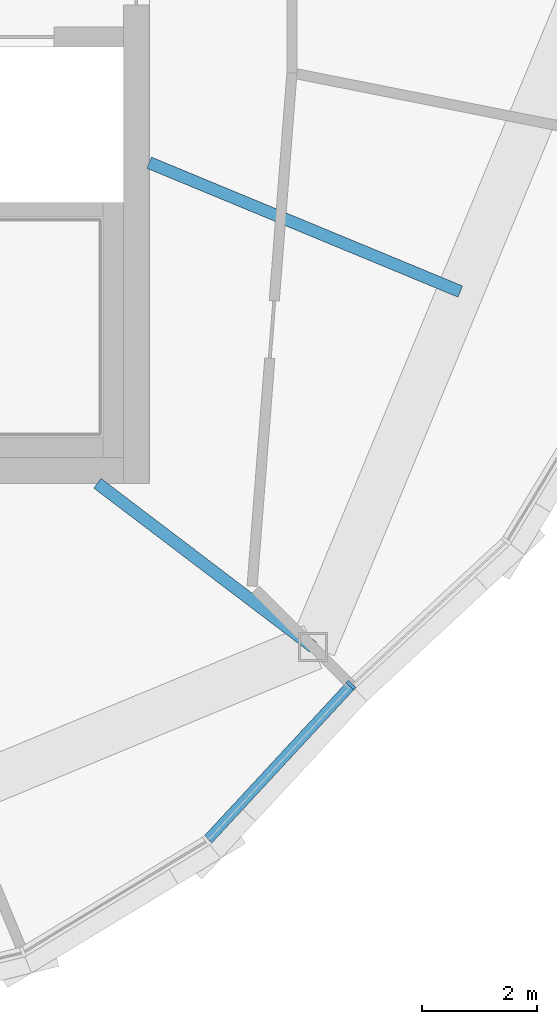
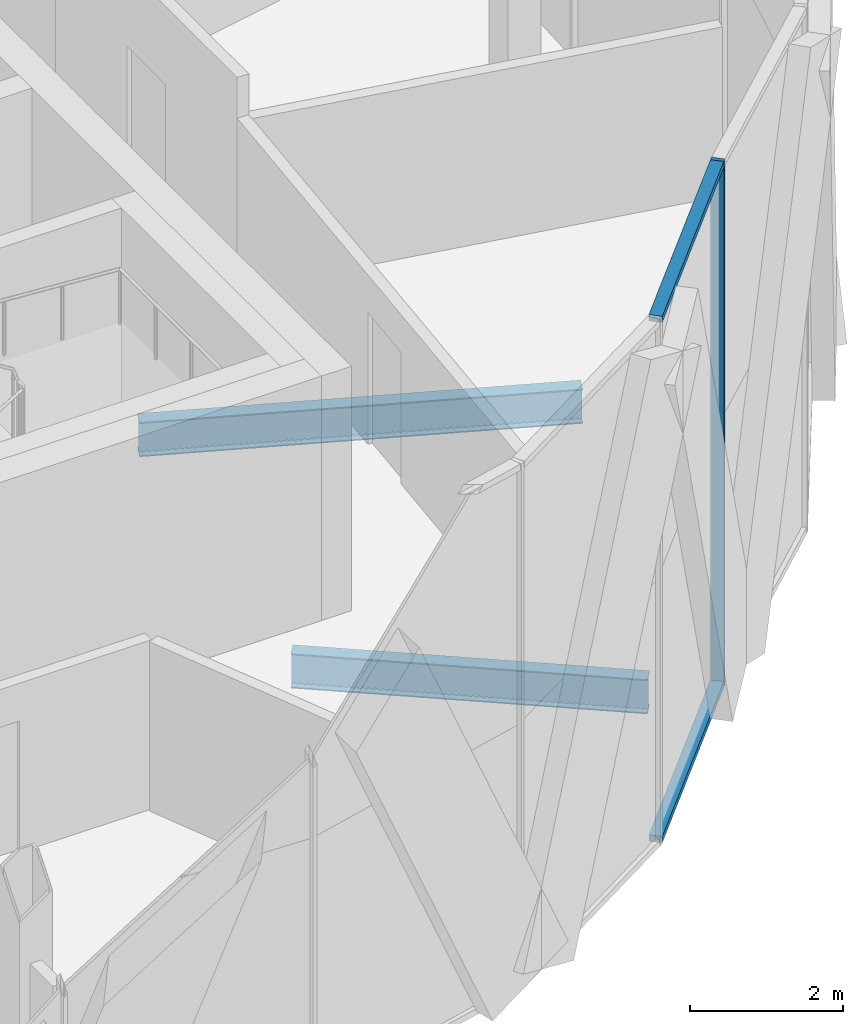
# One storey, part 4 of 22: 3 members, 2 beams, 1 element without a shape of its own.
"""IFC4 building model written with IfcOpenShell, lengths in metres."""

from ifc_helpers import new_model, si_unit, direction, frame, origin, origin_2d, place, context, subcontext, project, spatial, rectangle, i_section, extrude, material, material_profile, profile_set, type_object, element, aggregate, save


model = new_model("IFC4")

# Units and contexts
model_context = context("Model", 3, precision=1e-05, world=origin(), true_north=direction((0.0, 1.0)))
body_context = subcontext(model_context, "Body", "Model", "MODEL_VIEW")
ifc_project = project(units=[si_unit("LENGTHUNIT", "METRE"), si_unit("AREAUNIT", "SQUARE_METRE"), si_unit("VOLUMEUNIT", "CUBIC_METRE"), si_unit("PLANEANGLEUNIT", "RADIAN"), si_unit("MASSUNIT", "GRAM", prefix="KILO")], contexts=[model_context])

# Site, building, storey
site_placement = place(None, origin())
site = spatial("IfcSite", under=ifc_project, at=site_placement, CompositionType="ELEMENT")
building_placement = place(site_placement, origin())
building = spatial("IfcBuilding", under=site, at=building_placement, Name="Ogive Gate Towers", CompositionType="ELEMENT")
storey_placement = place(building_placement, frame((0.0, 0.0, 285.60009765625)))
storey = spatial("IfcBuildingStorey", under=building, at=storey_placement, Name="L67", CompositionType="ELEMENT", Elevation=285.60009765625)

# Beams
ifc_material_1 = material(Name="Steel SM355", Category="steel")
ifc_material_profile_1 = material_profile(ifc_material_1, i_section(OverallWidth=0.2099609375, OverallDepth=0.550048828125, WebThickness=0.010986328125, FlangeThickness=0.01708984375, FilletRadius=0.02392578125, at=origin_2d()), Name="IPE 550")
ifc_profile_set_1 = profile_set([ifc_material_profile_1], Name="Steel SM355")
beam_type = type_object("IfcBeamType", Name="Radial floor beam IPE 550", PredefinedType="BEAM", material=ifc_profile_set_1)
beam_1_placement = place(storey_placement, frame((-27.39990234375, -9.5, -0.5751953125), z_axis=(0.796338347087, -0.604851417257, 0.0), x_axis=(0.604851417257, 0.796338347087, 0.0)))
element("IfcBeam", 1, at=beam_1_placement, inside=storey, type_object=beam_type, Name="T1/L67/SBM005", PredefinedType="BEAM", context=body_context, shape_type="SweptSolid", body=[
    extrude(i_section(OverallWidth=0.2099609375, OverallDepth=0.550048828125, WebThickness=0.010986328125, FlangeThickness=0.01708984375, FilletRadius=0.02392578125, at=origin_2d()), origin(), (0.0, 0.0, 1.0), 4.699462890625),
])
beam_2_placement = place(storey_placement, frame((-26.5, -3.93505859375, -0.5751953125), z_axis=(0.923872213225, -0.382701102209, 0.0), x_axis=(0.382701102209, 0.923872213225, 0.0)))
element("IfcBeam", 2, at=beam_2_placement, inside=storey, type_object=beam_type, Name="T1/L67/SBM006", PredefinedType="BEAM", context=body_context, shape_type="SweptSolid", body=[
    extrude(i_section(OverallWidth=0.2099609375, OverallDepth=0.550048828125, WebThickness=0.010986328125, FlangeThickness=0.01708984375, FilletRadius=0.02392578125, at=origin_2d()), origin(), (0.0, 0.0, 1.0), 5.843505859375),
])

# Curtain wall, members
ifc_material_2 = material(Name="Pale metal aluminium", Category="aluminium")
curtain_wall_type = type_object("IfcCurtainWallType", Name="Tower unitised wall, high zone", PredefinedType="NOTDEFINED", material=ifc_material_2)
curtain_wall_placement = place(storey_placement, origin())
curtain_wall = element("IfcCurtainWall", 3, at=curtain_wall_placement, inside=storey, type_object=curtain_wall_type, Name="CW2 T1 ECW07", PredefinedType="NOTDEFINED")
ifc_material_profile_2 = material_profile(ifc_material_2, rectangle(XDim=0.179931640625, YDim=0.06005859375, at=origin_2d()), Name="60 x 180 aluminium box")
ifc_profile_set_2 = profile_set([ifc_material_profile_2], Name="Pale metal aluminium")
member_type_1 = type_object("IfcMemberType", Name="Tower unitised wall, high zone mullion 60 x 180", PredefinedType="MULLION", material=ifc_profile_set_2)
member_1_placement = place(storey_placement, frame((-22.99658203125, -13.00390625, -0.300048828125), z_axis=(0.0, 0.0, 1.0), x_axis=(0.733338412727, -0.679863789608, 0.0)))
member_1 = element("IfcMember", 4, at=member_1_placement, type_object=member_type_1, Name="CW2 mullion", PredefinedType="MULLION", context=body_context, shape_type="SweptSolid", body=[
    extrude(rectangle(XDim=0.179931640625, YDim=0.06005859375, at=origin_2d()), origin(), (0.0, 0.0, 1.0), 8.39990234375),
])
ifc_material_profile_3 = material_profile(ifc_material_2, rectangle(XDim=0.179931640625, YDim=0.10009765625, at=origin_2d()), Name="100 x 180 aluminium box")
ifc_profile_set_3 = profile_set([ifc_material_profile_3], Name="Pale metal aluminium")
member_type_2 = type_object("IfcMemberType", Name="Tower unitised wall, high zone transom 100 x 180", PredefinedType="USERDEFINED", material=ifc_profile_set_3)
member_2_placement = place(storey_placement, frame((-25.478515625, -15.68115234375, 8.0498046875), z_axis=(0.679866392471, 0.733335999654, 0.0), x_axis=(-0.733335999654, 0.679866392471, 0.0)))
member_2 = element("IfcMember", 5, at=member_2_placement, type_object=member_type_2, Name="CW2 transom", ObjectType="TRANSOM", PredefinedType="USERDEFINED", context=body_context, shape_type="SweptSolid", body=[
    extrude(rectangle(XDim=0.179931640625, YDim=0.10009765625, at=origin_2d()), origin(), (0.0, 0.0, 1.0), 3.620849609375),
])
member_3_placement = place(storey_placement, frame((-25.478515625, -15.68115234375, -0.25), z_axis=(0.679866392471, 0.733335999654, 0.0), x_axis=(-0.733335999654, 0.679866392471, 0.0)))
member_3 = element("IfcMember", 6, at=member_3_placement, type_object=member_type_2, Name="CW2 transom", ObjectType="TRANSOM", PredefinedType="USERDEFINED", context=body_context, shape_type="SweptSolid", body=[
    extrude(rectangle(XDim=0.179931640625, YDim=0.10009765625, at=origin_2d()), origin(), (0.0, 0.0, 1.0), 3.620849609375),
])
aggregate(curtain_wall, [member_1, member_2, member_3])

save(model, "model.ifc")
